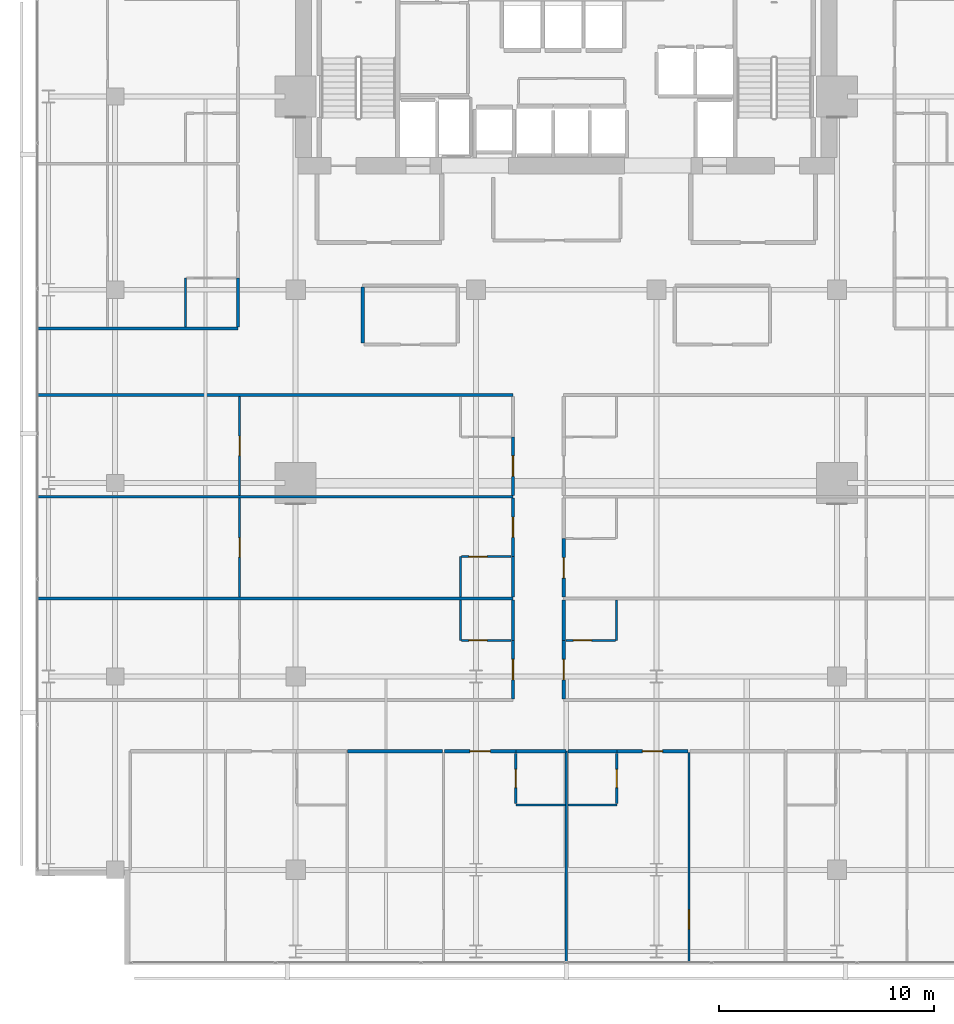
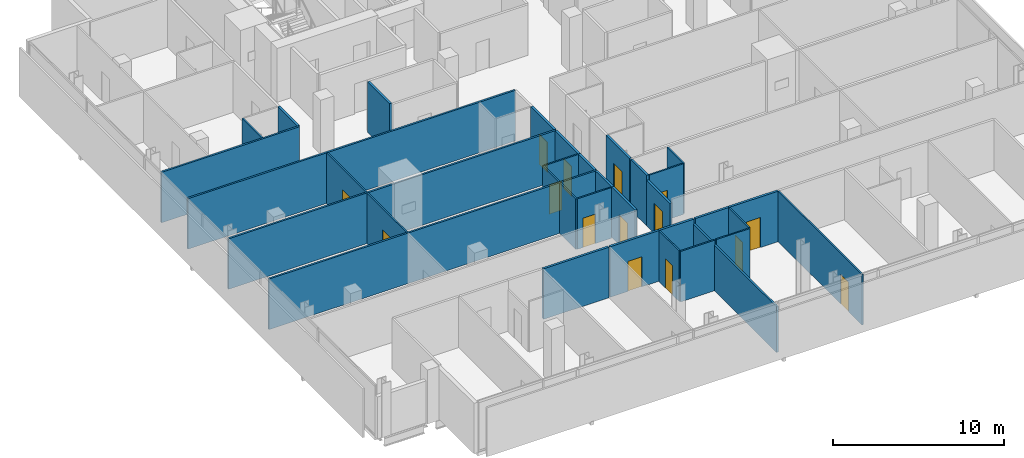
# One storey, part 27 of 33: 34 walls, 15 doors, 15 openings.
"""IFC4 building model written with IfcOpenShell, lengths in metres."""

from ifc_helpers import new_model, si_unit, direction, frame, frame_2d, origin, place, context, subcontext, project, spatial, rectangle, extrude, material, layer, layer_set, type_object, element, fill, save


model = new_model("IFC4")

# Units and contexts
model_context = context("Model", 3, precision=1e-05, world=origin(), true_north=direction((0.0, 1.0)))
body_context = subcontext(model_context, "Body", "Model", "MODEL_VIEW")
ifc_project = project(units=[si_unit("LENGTHUNIT", "METRE"), si_unit("AREAUNIT", "SQUARE_METRE"), si_unit("VOLUMEUNIT", "CUBIC_METRE"), si_unit("PLANEANGLEUNIT", "RADIAN"), si_unit("MASSUNIT", "GRAM", prefix="KILO")], contexts=[model_context])

# Site, building, storey
site_placement = place(None, origin())
site = spatial("IfcSite", under=ifc_project, at=site_placement, CompositionType="ELEMENT")
building_placement = place(site_placement, origin())
building = spatial("IfcBuilding", under=site, at=building_placement, Name="Maruvema Waterfront Hotel and Observation Tower", CompositionType="ELEMENT")
storey_placement = place(building_placement, frame((0.0, 0.0, 138.949951171875)))
storey = spatial("IfcBuildingStorey", under=building, at=storey_placement, Name="L33", CompositionType="ELEMENT", Elevation=138.949951171875)

# Walls
ifc_material_1 = material(Name="Twin-stud acoustic gypsum drywall", Category="gypsum")
ifc_layer_1 = layer(ifc_material_1, 0.14990234375, Name="Acoustic Corridor and Suite Demising Wall 150 mm")
ifc_layer_set_1 = layer_set([ifc_layer_1], Name="Twin-stud acoustic gypsum drywall")
wall_type_1 = type_object("IfcWallType", Name="Acoustic Corridor and Suite Demising Wall 150 mm", PredefinedType="PARTITIONING", material=ifc_layer_set_1)
wall_1_placement = place(storey_placement, frame((28.320068359375, 33.530029296875, 0.0), z_axis=(0.0, 0.0, 1.0), x_axis=(0.0, 1.0, 0.0)))
element("IfcWall", 1, at=wall_1_placement, inside=storey, type_object=wall_type_1, Name="L33 L33-M1 West Wall 022", PredefinedType="PARTITIONING", context=body_context, shape_type="SweptSolid", body=[
    extrude(rectangle(XDim=2.590087890625, YDim=0.14990234375, at=frame_2d((1.294921875, 0.0))), origin(), (0.0, 0.0, 1.0), 3.610107421875),
])
wall_2_placement = place(storey_placement, frame((35.449951171875, 14.52001953125, 0.0), z_axis=(0.0, 0.0, 1.0), x_axis=(1.0, 0.0, 0.0)))
element("IfcWall", 2, at=wall_2_placement, inside=storey, type_object=wall_type_1, Name="L33 Bath L33-S2 Back Wall 038", PredefinedType="PARTITIONING", context=body_context, shape_type="SweptSolid", body=[
    extrude(rectangle(XDim=2.330078125, YDim=0.14990234375, at=frame_2d((1.1650390625, 0.0))), origin(), (0.0, 0.0, 1.0), 3.610107421875),
])
wall_3_placement = place(storey_placement, frame((27.6201171875, 14.52001953125, 0.0), z_axis=(0.0, 0.0, 1.0), x_axis=(1.0, 0.0, 0.0)))
element("IfcWall", 3, at=wall_3_placement, inside=storey, type_object=wall_type_1, Name="L33 Bedroom L33-S2 Back Wall 041", PredefinedType="PARTITIONING", context=body_context, shape_type="SweptSolid", body=[
    extrude(rectangle(XDim=4.427978515625, YDim=0.14990234375, at=frame_2d((2.2138671875, 0.0))), origin(), (0.0, 0.0, 1.0), 3.610107421875),
])

# Wall, opening, door
wall_4_placement = place(storey_placement, frame((32.1279296875, 14.52001953125, 0.0), z_axis=(0.0, 0.0, 1.0), x_axis=(1.0, 0.0, 0.0)))
wall_4 = element("IfcWall", 4, at=wall_4_placement, inside=storey, type_object=wall_type_1, Name="L33 Unit L33-S2 Corridor Wall 042", PredefinedType="PARTITIONING", context=body_context, shape_type="SweptSolid", body=[
    extrude(rectangle(XDim=3.322021484375, YDim=0.14990234375, at=frame_2d((1.6611328125, 0.0))), origin(), (0.0, 0.0, 1.0), 3.610107421875),
])
opening_1_placement = place(wall_4_placement, frame((1.18603515625, 0.0, 0.0)))
opening_1 = element("IfcOpeningElement", 5, at=opening_1_placement, cuts=wall_4, Name="Opening DR-095", PredefinedType="OPENING", context=body_context, shape_type="SweptSolid", body=[
    extrude(rectangle(XDim=0.949951171875, YDim=2.14990234375, at=frame_2d((0.47509765625, 1.074951171875))), frame((0.0, 0.0849609375, 0.0), z_axis=(0.0, -1.0, 0.0), x_axis=(1.0, 0.0, 0.0)), (0.0, 0.0, 1.0), 0.169921875),
])
ifc_material_2 = material(Name="Acoustic solid-core hardwood timber leaf", Category="wood")
door_type_1 = type_object("IfcDoorType", Name="Guestroom Entrance Fire Door 950x2150 mm", OperationType="NOTDEFINED", PredefinedType="DOOR", material=ifc_material_2)
door_1_placement = place(opening_1_placement, frame((0.949951171875, 0.0, 0.0), z_axis=(0.0, 0.0, 1.0), x_axis=(-1.0, 0.0, 0.0)))
door_1 = element("IfcDoor", 6, at=door_1_placement, inside=storey, type_object=door_type_1, Name="L33 Unit L33-S2 Entrance Door", OperationType="SINGLE_SWING_RIGHT", OverallHeight=2.14990234375, OverallWidth=0.949951171875, PredefinedType="DOOR", context=body_context, shape_type="SweptSolid", body=[
    extrude(rectangle(XDim=0.949951171875, YDim=2.14990234375, at=frame_2d((0.47509765625, 1.074951171875))), frame((0.0, 0.02490234375, 0.0), z_axis=(0.0, -1.0, 0.0), x_axis=(1.0, 0.0, 0.0)), (0.0, 0.0, 1.0), 0.050048828125),
])
fill(opening_1, door_1)

# Wall
wall_5_placement = place(storey_placement, frame((37.8798828125, 14.52001953125, 0.0), z_axis=(0.0, 0.0, 1.0), x_axis=(1.0, 0.0, 0.0)))
element("IfcWall", 7, at=wall_5_placement, inside=storey, type_object=wall_type_1, Name="L33 Bath L33-S3 Back Wall 045", PredefinedType="PARTITIONING", context=body_context, shape_type="SweptSolid", body=[
    extrude(rectangle(XDim=2.27001953125, YDim=0.14990234375, at=frame_2d((1.135009765625, 0.0))), origin(), (0.0, 0.0, 1.0), 3.610107421875),
])

# Wall, opening, door
wall_6_placement = place(storey_placement, frame((40.14990234375, 14.52001953125, 0.0), z_axis=(0.0, 0.0, 1.0), x_axis=(1.0, 0.0, 0.0)))
wall_6 = element("IfcWall", 8, at=wall_6_placement, inside=storey, type_object=wall_type_1, Name="L33 Unit L33-S3 Corridor Wall 048", PredefinedType="PARTITIONING", context=body_context, shape_type="SweptSolid", body=[
    extrude(rectangle(XDim=3.322021484375, YDim=0.14990234375, at=frame_2d((1.6611328125, 0.0))), origin(), (0.0, 0.0, 1.0), 3.610107421875),
])
opening_2_placement = place(wall_6_placement, frame((1.18603515625, 0.0, 0.0)))
opening_2 = element("IfcOpeningElement", 9, at=opening_2_placement, cuts=wall_6, Name="Opening DR-095", PredefinedType="OPENING", context=body_context, shape_type="SweptSolid", body=[
    extrude(rectangle(XDim=0.949951171875, YDim=2.14990234375, at=frame_2d((0.47509765625, 1.074951171875))), frame((0.0, 0.0849609375, 0.0), z_axis=(0.0, -1.0, 0.0), x_axis=(1.0, 0.0, 0.0)), (0.0, 0.0, 1.0), 0.169921875),
])
door_2_placement = place(opening_2_placement, frame((0.949951171875, 0.0, 0.0), z_axis=(0.0, 0.0, 1.0), x_axis=(-1.0, 0.0, 0.0)))
door_2 = element("IfcDoor", 10, at=door_2_placement, inside=storey, type_object=door_type_1, Name="L33 Unit L33-S3 Entrance Door", OperationType="SINGLE_SWING_LEFT", OverallHeight=2.14990234375, OverallWidth=0.949951171875, PredefinedType="DOOR", context=body_context, shape_type="SweptSolid", body=[
    extrude(rectangle(XDim=0.949951171875, YDim=2.14990234375, at=frame_2d((0.47509765625, 1.074951171875))), frame((0.0, 0.02490234375, 0.0), z_axis=(0.0, -1.0, 0.0), x_axis=(1.0, 0.0, 0.0)), (0.0, 0.0, 1.0), 0.050048828125),
])
fill(opening_2, door_2)

wall_7_placement = place(storey_placement, frame((35.320068359375, 16.9599609375, 0.0), z_axis=(0.0, 0.0, 1.0), x_axis=(0.0, 1.0, 0.0)))
wall_7 = element("IfcWall", 11, at=wall_7_placement, inside=storey, type_object=wall_type_1, Name="L33 Room L33-W1 Corridor Wall 062", PredefinedType="PARTITIONING", context=body_context, shape_type="SweptSolid", body=[
    extrude(rectangle(XDim=2.719970703125, YDim=0.14990234375, at=frame_2d((1.35986328125, 0.0))), origin(), (0.0, 0.0, 1.0), 3.610107421875),
])
opening_3_placement = place(wall_7_placement, frame((0.885009765625, 0.0, 0.0)))
opening_3 = element("IfcOpeningElement", 12, at=opening_3_placement, cuts=wall_7, Name="Opening DR-095", PredefinedType="OPENING", context=body_context, shape_type="SweptSolid", body=[
    extrude(rectangle(XDim=0.949951171875, YDim=2.14990234375, at=frame_2d((0.47509765625, 1.074951171875))), frame((0.0, 0.0849609375, 0.0), z_axis=(0.0, -1.0, 0.0), x_axis=(1.0, 0.0, 0.0)), (0.0, 0.0, 1.0), 0.169921875),
])
door_3_placement = place(opening_3_placement, origin())
door_3 = element("IfcDoor", 13, at=door_3_placement, inside=storey, type_object=door_type_1, Name="L33 Room L33-W1 Entrance Door", OperationType="SINGLE_SWING_LEFT", OverallHeight=2.14990234375, OverallWidth=0.949951171875, PredefinedType="DOOR", context=body_context, shape_type="SweptSolid", body=[
    extrude(rectangle(XDim=0.949951171875, YDim=2.14990234375, at=frame_2d((0.47509765625, 1.074951171875))), frame((0.0, 0.02490234375, 0.0), z_axis=(0.0, -1.0, 0.0), x_axis=(1.0, 0.0, 0.0)), (0.0, 0.0, 1.0), 0.050048828125),
])
fill(opening_3, door_3)

# Wall
wall_8_placement = place(storey_placement, frame((35.320068359375, 19.679931640625, 0.0), z_axis=(0.0, 0.0, 1.0), x_axis=(0.0, 1.0, 0.0)))
element("IfcWall", 14, at=wall_8_placement, inside=storey, type_object=wall_type_1, Name="L33 Bath L33-W1 Wall 063", PredefinedType="PARTITIONING", context=body_context, shape_type="SweptSolid", body=[
    extrude(rectangle(XDim=1.89013671875, YDim=0.14990234375, at=frame_2d((0.945068359375, 0.0))), origin(), (0.0, 0.0, 1.0), 3.610107421875),
])

# Wall, opening, door
wall_9_placement = place(storey_placement, frame((37.679931640625, 16.9599609375, 0.0), z_axis=(0.0, 0.0, 1.0), x_axis=(0.0, 1.0, 0.0)))
wall_9 = element("IfcWall", 15, at=wall_9_placement, inside=storey, type_object=wall_type_1, Name="L33 Room L33-E1 Corridor Wall 067", PredefinedType="PARTITIONING", context=body_context, shape_type="SweptSolid", body=[
    extrude(rectangle(XDim=2.719970703125, YDim=0.14990234375, at=frame_2d((1.35986328125, 0.0))), origin(), (0.0, 0.0, 1.0), 3.255126953125),
])
opening_4_placement = place(wall_9_placement, frame((0.885009765625, 0.0, 0.0)))
opening_4 = element("IfcOpeningElement", 16, at=opening_4_placement, cuts=wall_9, Name="Opening DR-095", PredefinedType="OPENING", context=body_context, shape_type="SweptSolid", body=[
    extrude(rectangle(XDim=0.949951171875, YDim=2.14990234375, at=frame_2d((0.47509765625, 1.074951171875))), frame((0.0, 0.0849609375, 0.0), z_axis=(0.0, -1.0, 0.0), x_axis=(1.0, 0.0, 0.0)), (0.0, 0.0, 1.0), 0.169921875),
])
door_4_placement = place(opening_4_placement, frame((0.949951171875, 0.0, 0.0), z_axis=(0.0, 0.0, 1.0), x_axis=(-1.0, 0.0, 0.0)))
door_4 = element("IfcDoor", 17, at=door_4_placement, inside=storey, type_object=door_type_1, Name="L33 Room L33-E1 Entrance Door", OperationType="SINGLE_SWING_RIGHT", OverallHeight=2.14990234375, OverallWidth=0.949951171875, PredefinedType="DOOR", context=body_context, shape_type="SweptSolid", body=[
    extrude(rectangle(XDim=0.949951171875, YDim=2.14990234375, at=frame_2d((0.47509765625, 1.074951171875))), frame((0.0, 0.02490234375, 0.0), z_axis=(0.0, -1.0, 0.0), x_axis=(1.0, 0.0, 0.0)), (0.0, 0.0, 1.0), 0.050048828125),
])
fill(opening_4, door_4)

# Walls
for number, where, z_axis, x_axis, name in (
    (18, (37.679931640625, 19.679931640625, 0.0), (0.0, 0.0, 1.0), (0.0, 1.0, 0.0), "L33 Bath L33-E1 Wall 068"),
    (19, (35.320068359375, 21.68994140625, 0.0), (0.0, 0.0, 1.0), (0.0, 1.0, 0.0), "L33 Bath L33-W2 Wall 074"),
):
    element("IfcWall", number, at=place(storey_placement, frame(where, z_axis=z_axis, x_axis=x_axis)), inside=storey, type_object=wall_type_1, Name=name, PredefinedType="PARTITIONING", context=body_context, shape_type="SweptSolid", body=[
        extrude(rectangle(XDim=1.89013671875, YDim=0.14990234375, at=frame_2d((0.945068359375, 0.0))), origin(), (0.0, 0.0, 1.0), 3.610107421875),
    ])

# Wall, opening, door
wall_10_placement = place(storey_placement, frame((35.320068359375, 23.580078125, 0.0), z_axis=(0.0, 0.0, 1.0), x_axis=(0.0, 1.0, 0.0)))
wall_10 = element("IfcWall", 20, at=wall_10_placement, inside=storey, type_object=wall_type_1, Name="L33 Room L33-W2 Corridor Wall 075", PredefinedType="PARTITIONING", context=body_context, shape_type="SweptSolid", body=[
    extrude(rectangle(XDim=2.72998046875, YDim=0.14990234375, at=frame_2d((1.364990234375, 0.0))), origin(), (0.0, 0.0, 1.0), 3.610107421875),
])
opening_5_placement = place(wall_10_placement, frame((0.889892578125, 0.0, 0.0)))
opening_5 = element("IfcOpeningElement", 21, at=opening_5_placement, cuts=wall_10, Name="Opening DR-095", PredefinedType="OPENING", context=body_context, shape_type="SweptSolid", body=[
    extrude(rectangle(XDim=0.949951171875, YDim=2.14990234375, at=frame_2d((0.47509765625, 1.074951171875))), frame((0.0, 0.0849609375, 0.0), z_axis=(0.0, -1.0, 0.0), x_axis=(1.0, 0.0, 0.0)), (0.0, 0.0, 1.0), 0.169921875),
])
door_5_placement = place(opening_5_placement, origin())
door_5 = element("IfcDoor", 22, at=door_5_placement, inside=storey, type_object=door_type_1, Name="L33 Room L33-W2 Entrance Door", OperationType="SINGLE_SWING_LEFT", OverallHeight=2.14990234375, OverallWidth=0.949951171875, PredefinedType="DOOR", context=body_context, shape_type="SweptSolid", body=[
    extrude(rectangle(XDim=0.949951171875, YDim=2.14990234375, at=frame_2d((0.47509765625, 1.074951171875))), frame((0.0, 0.02490234375, 0.0), z_axis=(0.0, -1.0, 0.0), x_axis=(1.0, 0.0, 0.0)), (0.0, 0.0, 1.0), 0.050048828125),
])
fill(opening_5, door_5)

wall_11_placement = place(storey_placement, frame((37.679931640625, 21.68994140625, 0.0), z_axis=(0.0, 0.0, 1.0), x_axis=(0.0, 1.0, 0.0)))
wall_11 = element("IfcWall", 23, at=wall_11_placement, inside=storey, type_object=wall_type_1, Name="L33 Room L33-E2 Corridor Wall 079", PredefinedType="PARTITIONING", context=body_context, shape_type="SweptSolid", body=[
    extrude(rectangle(XDim=2.72998046875, YDim=0.14990234375, at=frame_2d((1.364990234375, 0.0))), origin(), (0.0, 0.0, 1.0), 3.610107421875),
])
opening_6_placement = place(wall_11_placement, frame((0.889892578125, 0.0, 0.0)))
opening_6 = element("IfcOpeningElement", 24, at=opening_6_placement, cuts=wall_11, Name="Opening DR-095", PredefinedType="OPENING", context=body_context, shape_type="SweptSolid", body=[
    extrude(rectangle(XDim=0.949951171875, YDim=2.14990234375, at=frame_2d((0.47509765625, 1.074951171875))), frame((0.0, 0.0849609375, 0.0), z_axis=(0.0, -1.0, 0.0), x_axis=(1.0, 0.0, 0.0)), (0.0, 0.0, 1.0), 0.169921875),
])
door_6_placement = place(opening_6_placement, frame((0.949951171875, 0.0, 0.0), z_axis=(0.0, 0.0, 1.0), x_axis=(-1.0, 0.0, 0.0)))
door_6 = element("IfcDoor", 25, at=door_6_placement, inside=storey, type_object=door_type_1, Name="L33 Room L33-E2 Entrance Door", OperationType="SINGLE_SWING_RIGHT", OverallHeight=2.14990234375, OverallWidth=0.949951171875, PredefinedType="DOOR", context=body_context, shape_type="SweptSolid", body=[
    extrude(rectangle(XDim=0.949951171875, YDim=2.14990234375, at=frame_2d((0.47509765625, 1.074951171875))), frame((0.0, 0.02490234375, 0.0), z_axis=(0.0, -1.0, 0.0), x_axis=(1.0, 0.0, 0.0)), (0.0, 0.0, 1.0), 0.050048828125),
])
fill(opening_6, door_6)

wall_12_placement = place(storey_placement, frame((35.320068359375, 26.429931640625, 0.0), z_axis=(0.0, 0.0, 1.0), x_axis=(0.0, 1.0, 0.0)))
wall_12 = element("IfcWall", 26, at=wall_12_placement, inside=storey, type_object=wall_type_1, Name="L33 Room L33-W3 Corridor Wall 086", PredefinedType="PARTITIONING", context=body_context, shape_type="SweptSolid", body=[
    extrude(rectangle(XDim=2.719970703125, YDim=0.14990234375, at=frame_2d((1.35986328125, 0.0))), origin(), (0.0, 0.0, 1.0), 3.610107421875),
])
opening_7_placement = place(wall_12_placement, frame((0.885009765625, 0.0, 0.0)))
opening_7 = element("IfcOpeningElement", 27, at=opening_7_placement, cuts=wall_12, Name="Opening DR-095", PredefinedType="OPENING", context=body_context, shape_type="SweptSolid", body=[
    extrude(rectangle(XDim=0.949951171875, YDim=2.14990234375, at=frame_2d((0.47509765625, 1.074951171875))), frame((0.0, 0.0849609375, 0.0), z_axis=(0.0, -1.0, 0.0), x_axis=(1.0, 0.0, 0.0)), (0.0, 0.0, 1.0), 0.169921875),
])
door_7_placement = place(opening_7_placement, origin())
door_7 = element("IfcDoor", 28, at=door_7_placement, inside=storey, type_object=door_type_1, Name="L33 Room L33-W3 Entrance Door", OperationType="SINGLE_SWING_LEFT", OverallHeight=2.14990234375, OverallWidth=0.949951171875, PredefinedType="DOOR", context=body_context, shape_type="SweptSolid", body=[
    extrude(rectangle(XDim=0.949951171875, YDim=2.14990234375, at=frame_2d((0.47509765625, 1.074951171875))), frame((0.0, 0.02490234375, 0.0), z_axis=(0.0, -1.0, 0.0), x_axis=(1.0, 0.0, 0.0)), (0.0, 0.0, 1.0), 0.050048828125),
])
fill(opening_7, door_7)

# Walls
wall_13_placement = place(storey_placement, frame((22.52001953125, 34.260009765625, 0.0), z_axis=(0.0, 0.0, 1.0), x_axis=(0.0, 1.0, 0.0)))
element("IfcWall", 29, at=wall_13_placement, inside=storey, type_object=wall_type_1, Name="L33 Bath L33-NW1 Wall 100", PredefinedType="PARTITIONING", context=body_context, shape_type="SweptSolid", body=[
    extrude(rectangle(XDim=2.2900390625, YDim=0.14990234375, at=frame_2d((1.14501953125, 0.0))), origin(), (0.0, 0.0, 1.0), 3.610107421875),
])
ifc_material_3 = material(Name="Moisture-resistant cement-board drywall", Category="gypsum")
ifc_layer_2 = layer(ifc_material_3, 0.10009765625, Name="En-Suite Moisture-Resistant Partition 100 mm")
ifc_layer_set_2 = layer_set([ifc_layer_2], Name="Moisture-resistant cement-board drywall")
wall_type_2 = type_object("IfcWallType", Name="En-Suite Moisture-Resistant Partition 100 mm", PredefinedType="PARTITIONING", material=ifc_layer_set_2)
wall_14_placement = place(storey_placement, frame((35.449951171875, 12.02001953125, 0.0), z_axis=(0.0, 0.0, 1.0), x_axis=(1.0, 0.0, 0.0)))
element("IfcWall", 30, at=wall_14_placement, inside=storey, type_object=wall_type_2, Name="L33 En-Suite L33-S2 South 039", PredefinedType="PARTITIONING", context=body_context, shape_type="SweptSolid", body=[
    extrude(rectangle(XDim=2.31005859375, YDim=0.10009765625, at=frame_2d((1.155029296875, 0.0))), origin(), (0.0, 0.0, 1.0), 3.610107421875),
])

# Wall, opening, door
wall_15_placement = place(storey_placement, frame((35.449951171875, 12.080078125, 0.0), z_axis=(0.0, 0.0, 1.0), x_axis=(0.0, 1.0, 0.0)))
wall_15 = element("IfcWall", 31, at=wall_15_placement, inside=storey, type_object=wall_type_2, Name="L33 En-Suite L33-S2 West 040", PredefinedType="PARTITIONING", context=body_context, shape_type="SweptSolid", body=[
    extrude(rectangle(XDim=2.33984375, YDim=0.10009765625, at=frame_2d((1.169921875, 0.0))), origin(), (0.0, 0.0, 1.0), 3.610107421875),
])
opening_8_placement = place(wall_15_placement, frame((0.7451171875, 0.0, 0.0)))
opening_8 = element("IfcOpeningElement", 32, at=opening_8_placement, cuts=wall_15, Name="Opening DR-085", PredefinedType="OPENING", context=body_context, shape_type="SweptSolid", body=[
    extrude(rectangle(XDim=0.85009765625, YDim=2.10009765625, at=frame_2d((0.425048828125, 1.050048828125))), frame((0.0, 0.06005859375, 0.0), z_axis=(0.0, -1.0, 0.0), x_axis=(1.0, 0.0, 0.0)), (0.0, 0.0, 1.0), 0.1201171875),
])
ifc_material_4 = material(Name="Moisture-resistant solid timber leaf", Category="wood")
door_type_2 = type_object("IfcDoorType", Name="En-Suite Bathroom Door 850x2100 mm", OperationType="NOTDEFINED", PredefinedType="DOOR", material=ifc_material_4)
door_8_placement = place(opening_8_placement, origin())
door_8 = element("IfcDoor", 33, at=door_8_placement, inside=storey, type_object=door_type_2, Name="L33 En-Suite L33-S2 Door", OperationType="SINGLE_SWING_LEFT", OverallHeight=2.10009765625, OverallWidth=0.85009765625, PredefinedType="DOOR", context=body_context, shape_type="SweptSolid", body=[
    extrude(rectangle(XDim=0.85009765625, YDim=2.10009765625, at=frame_2d((0.425048828125, 1.050048828125))), frame((0.0, 0.02490234375, 0.0), z_axis=(0.0, -1.0, 0.0), x_axis=(1.0, 0.0, 0.0)), (0.0, 0.0, 1.0), 0.050048828125),
])
fill(opening_8, door_8)

# Wall
wall_16_placement = place(storey_placement, frame((37.8798828125, 12.02001953125, 0.0), z_axis=(0.0, 0.0, 1.0), x_axis=(1.0, 0.0, 0.0)))
element("IfcWall", 34, at=wall_16_placement, inside=storey, type_object=wall_type_2, Name="L33 En-Suite L33-S3 South 046", PredefinedType="PARTITIONING", context=body_context, shape_type="SweptSolid", body=[
    extrude(rectangle(XDim=2.27001953125, YDim=0.10009765625, at=frame_2d((1.135009765625, 0.0))), origin(), (0.0, 0.0, 1.0), 3.610107421875),
])

# Wall, opening, door
wall_17_placement = place(storey_placement, frame((40.14990234375, 12.080078125, 0.0), z_axis=(0.0, 0.0, 1.0), x_axis=(0.0, 1.0, 0.0)))
wall_17 = element("IfcWall", 35, at=wall_17_placement, inside=storey, type_object=wall_type_2, Name="L33 En-Suite L33-S3 East 047", PredefinedType="PARTITIONING", context=body_context, shape_type="SweptSolid", body=[
    extrude(rectangle(XDim=2.33984375, YDim=0.10009765625, at=frame_2d((1.169921875, 0.0))), origin(), (0.0, 0.0, 1.0), 3.610107421875),
])
opening_9_placement = place(wall_17_placement, frame((0.7451171875, 0.0, 0.0)))
opening_9 = element("IfcOpeningElement", 36, at=opening_9_placement, cuts=wall_17, Name="Opening DR-085", PredefinedType="OPENING", context=body_context, shape_type="SweptSolid", body=[
    extrude(rectangle(XDim=0.85009765625, YDim=2.10009765625, at=frame_2d((0.425048828125, 1.050048828125))), frame((0.0, 0.06005859375, 0.0), z_axis=(0.0, -1.0, 0.0), x_axis=(1.0, 0.0, 0.0)), (0.0, 0.0, 1.0), 0.1201171875),
])
door_9_placement = place(opening_9_placement, frame((0.85009765625, 0.0, 0.0), z_axis=(0.0, 0.0, 1.0), x_axis=(-1.0, 0.0, 0.0)))
door_9 = element("IfcDoor", 37, at=door_9_placement, inside=storey, type_object=door_type_2, Name="L33 En-Suite L33-S3 Door", OperationType="SINGLE_SWING_RIGHT", OverallHeight=2.10009765625, OverallWidth=0.85009765625, PredefinedType="DOOR", context=body_context, shape_type="SweptSolid", body=[
    extrude(rectangle(XDim=0.85009765625, YDim=2.10009765625, at=frame_2d((0.425048828125, 1.050048828125))), frame((0.0, 0.02490234375, 0.0), z_axis=(0.0, -1.0, 0.0), x_axis=(1.0, 0.0, 0.0)), (0.0, 0.0, 1.0), 0.050048828125),
])
fill(opening_9, door_9)

wall_18_placement = place(storey_placement, frame((43.511962890625, 4.6298828125, 0.0), z_axis=(0.0, 0.0, 1.0), x_axis=(0.0, 1.0, 0.0)))
wall_18 = element("IfcWall", 38, at=wall_18_placement, inside=storey, type_object=wall_type_2, Name="L33 Suite L33-S3 Split 050", PredefinedType="PARTITIONING", context=body_context, shape_type="SweptSolid", body=[
    extrude(rectangle(XDim=9.830078125, YDim=0.10009765625, at=frame_2d((4.9150390625, 0.0))), origin(), (0.0, 0.0, 1.0), 3.610107421875),
])
opening_10_placement = place(wall_18_placement, frame((1.60009765625, 0.0, 0.0)))
opening_10 = element("IfcOpeningElement", 39, at=opening_10_placement, cuts=wall_18, Name="Opening DR-090", PredefinedType="OPENING", context=body_context, shape_type="SweptSolid", body=[
    extrude(rectangle(XDim=0.89990234375, YDim=2.10009765625, at=frame_2d((0.449951171875, 1.050048828125))), frame((0.0, 0.06005859375, 0.0), z_axis=(0.0, -1.0, 0.0), x_axis=(1.0, 0.0, 0.0)), (0.0, 0.0, 1.0), 0.1201171875),
])
ifc_material_5 = material(Name="Solid-core lacquered timber leaf", Category="wood")
door_type_3 = type_object("IfcDoorType", Name="Accessible Toilet and Room Door 900x2100 mm", OperationType="NOTDEFINED", PredefinedType="DOOR", material=ifc_material_5)
door_10_placement = place(opening_10_placement, origin())
door_10 = element("IfcDoor", 40, at=door_10_placement, inside=storey, type_object=door_type_3, Name="L33 Suite L33-S3 Bedroom Door", OperationType="SINGLE_SWING_RIGHT", OverallHeight=2.10009765625, OverallWidth=0.89990234375, PredefinedType="DOOR", context=body_context, shape_type="SweptSolid", body=[
    extrude(rectangle(XDim=0.89990234375, YDim=2.10009765625, at=frame_2d((0.449951171875, 1.050048828125))), frame((0.0, 0.02490234375, 0.0), z_axis=(0.0, -1.0, 0.0), x_axis=(1.0, 0.0, 0.0)), (0.0, 0.0, 1.0), 0.050048828125),
])
fill(opening_10, door_10)

# Wall
wall_19_placement = place(storey_placement, frame((32.8701171875, 19.679931640625, 0.0), z_axis=(0.0, 0.0, 1.0), x_axis=(0.0, 1.0, 0.0)))
element("IfcWall", 41, at=wall_19_placement, inside=storey, type_object=wall_type_2, Name="L33 En-Suite L33-W1 W 064", PredefinedType="PARTITIONING", context=body_context, shape_type="SweptSolid", body=[
    extrude(rectangle(XDim=1.89013671875, YDim=0.10009765625, at=frame_2d((0.945068359375, 0.0))), origin(), (0.0, 0.0, 1.0), 3.610107421875),
])

# Wall, opening, door
wall_20_placement = place(storey_placement, frame((32.919921875, 19.679931640625, 0.0), z_axis=(0.0, 0.0, 1.0), x_axis=(1.0, 0.0, 0.0)))
wall_20 = element("IfcWall", 42, at=wall_20_placement, inside=storey, type_object=wall_type_2, Name="L33 En-Suite L33-W1 S 065", PredefinedType="PARTITIONING", context=body_context, shape_type="SweptSolid", body=[
    extrude(rectangle(XDim=2.300048828125, YDim=0.10009765625, at=frame_2d((1.14990234375, 0.0))), origin(), (0.0, 0.0, 1.0), 3.610107421875),
])
opening_11_placement = place(wall_20_placement, frame((0.35009765625, 0.0, 0.0)))
opening_11 = element("IfcOpeningElement", 43, at=opening_11_placement, cuts=wall_20, Name="Opening DR-085", PredefinedType="OPENING", context=body_context, shape_type="SweptSolid", body=[
    extrude(rectangle(XDim=0.85009765625, YDim=2.10009765625, at=frame_2d((0.425048828125, 1.050048828125))), frame((0.0, 0.06005859375, 0.0), z_axis=(0.0, -1.0, 0.0), x_axis=(1.0, 0.0, 0.0)), (0.0, 0.0, 1.0), 0.1201171875),
])
door_11_placement = place(opening_11_placement, frame((0.85009765625, 0.0, 0.0), z_axis=(0.0, 0.0, 1.0), x_axis=(-1.0, 0.0, 0.0)))
door_11 = element("IfcDoor", 44, at=door_11_placement, inside=storey, type_object=door_type_2, Name="L33 En-Suite L33-W1 Door", OperationType="SINGLE_SWING_RIGHT", OverallHeight=2.10009765625, OverallWidth=0.85009765625, PredefinedType="DOOR", context=body_context, shape_type="SweptSolid", body=[
    extrude(rectangle(XDim=0.85009765625, YDim=2.10009765625, at=frame_2d((0.425048828125, 1.050048828125))), frame((0.0, 0.02490234375, 0.0), z_axis=(0.0, -1.0, 0.0), x_axis=(1.0, 0.0, 0.0)), (0.0, 0.0, 1.0), 0.050048828125),
])
fill(opening_11, door_11)

# Wall
wall_21_placement = place(storey_placement, frame((40.1298828125, 19.679931640625, 0.0), z_axis=(0.0, 0.0, 1.0), x_axis=(0.0, 1.0, 0.0)))
element("IfcWall", 45, at=wall_21_placement, inside=storey, type_object=wall_type_2, Name="L33 En-Suite L33-E1 E 069", PredefinedType="PARTITIONING", context=body_context, shape_type="SweptSolid", body=[
    extrude(rectangle(XDim=1.89013671875, YDim=0.10009765625, at=frame_2d((0.945068359375, 0.0))), origin(), (0.0, 0.0, 1.0), 3.610107421875),
])

# Wall, opening, door
wall_22_placement = place(storey_placement, frame((37.780029296875, 19.679931640625, 0.0), z_axis=(0.0, 0.0, 1.0), x_axis=(1.0, 0.0, 0.0)))
wall_22 = element("IfcWall", 46, at=wall_22_placement, inside=storey, type_object=wall_type_2, Name="L33 En-Suite L33-E1 S 070", PredefinedType="PARTITIONING", context=body_context, shape_type="SweptSolid", body=[
    extrude(rectangle(XDim=2.300048828125, YDim=0.10009765625, at=frame_2d((1.14990234375, 0.0))), origin(), (0.0, 0.0, 1.0), 3.610107421875),
])
opening_12_placement = place(wall_22_placement, frame((0.35009765625, 0.0, 0.0)))
opening_12 = element("IfcOpeningElement", 47, at=opening_12_placement, cuts=wall_22, Name="Opening DR-085", PredefinedType="OPENING", context=body_context, shape_type="SweptSolid", body=[
    extrude(rectangle(XDim=0.85009765625, YDim=2.10009765625, at=frame_2d((0.425048828125, 1.050048828125))), frame((0.0, 0.06005859375, 0.0), z_axis=(0.0, -1.0, 0.0), x_axis=(1.0, 0.0, 0.0)), (0.0, 0.0, 1.0), 0.1201171875),
])
door_12_placement = place(opening_12_placement, frame((0.85009765625, 0.0, 0.0), z_axis=(0.0, 0.0, 1.0), x_axis=(-1.0, 0.0, 0.0)))
door_12 = element("IfcDoor", 48, at=door_12_placement, inside=storey, type_object=door_type_2, Name="L33 En-Suite L33-E1 Door", OperationType="SINGLE_SWING_LEFT", OverallHeight=2.10009765625, OverallWidth=0.85009765625, PredefinedType="DOOR", context=body_context, shape_type="SweptSolid", body=[
    extrude(rectangle(XDim=0.85009765625, YDim=2.10009765625, at=frame_2d((0.425048828125, 1.050048828125))), frame((0.0, 0.02490234375, 0.0), z_axis=(0.0, -1.0, 0.0), x_axis=(1.0, 0.0, 0.0)), (0.0, 0.0, 1.0), 0.050048828125),
])
fill(opening_12, door_12)

# Wall
wall_23_placement = place(storey_placement, frame((32.8701171875, 21.68994140625, 0.0), z_axis=(0.0, 0.0, 1.0), x_axis=(0.0, 1.0, 0.0)))
element("IfcWall", 49, at=wall_23_placement, inside=storey, type_object=wall_type_2, Name="L33 En-Suite L33-W2 W 076", PredefinedType="PARTITIONING", context=body_context, shape_type="SweptSolid", body=[
    extrude(rectangle(XDim=1.89013671875, YDim=0.10009765625, at=frame_2d((0.945068359375, 0.0))), origin(), (0.0, 0.0, 1.0), 3.610107421875),
])

# Wall, opening, door
wall_24_placement = place(storey_placement, frame((32.919921875, 23.580078125, 0.0), z_axis=(0.0, 0.0, 1.0), x_axis=(1.0, 0.0, 0.0)))
wall_24 = element("IfcWall", 50, at=wall_24_placement, inside=storey, type_object=wall_type_2, Name="L33 En-Suite L33-W2 N 077", PredefinedType="PARTITIONING", context=body_context, shape_type="SweptSolid", body=[
    extrude(rectangle(XDim=2.300048828125, YDim=0.10009765625, at=frame_2d((1.14990234375, 0.0))), origin(), (0.0, 0.0, 1.0), 3.610107421875),
])
opening_13_placement = place(wall_24_placement, frame((0.35009765625, 0.0, 0.0)))
opening_13 = element("IfcOpeningElement", 51, at=opening_13_placement, cuts=wall_24, Name="Opening DR-085", PredefinedType="OPENING", context=body_context, shape_type="SweptSolid", body=[
    extrude(rectangle(XDim=0.85009765625, YDim=2.10009765625, at=frame_2d((0.425048828125, 1.050048828125))), frame((0.0, 0.06005859375, 0.0), z_axis=(0.0, -1.0, 0.0), x_axis=(1.0, 0.0, 0.0)), (0.0, 0.0, 1.0), 0.1201171875),
])
door_13_placement = place(opening_13_placement, origin())
door_13 = element("IfcDoor", 52, at=door_13_placement, inside=storey, type_object=door_type_2, Name="L33 En-Suite L33-W2 Door", OperationType="SINGLE_SWING_RIGHT", OverallHeight=2.10009765625, OverallWidth=0.85009765625, PredefinedType="DOOR", context=body_context, shape_type="SweptSolid", body=[
    extrude(rectangle(XDim=0.85009765625, YDim=2.10009765625, at=frame_2d((0.425048828125, 1.050048828125))), frame((0.0, 0.02490234375, 0.0), z_axis=(0.0, -1.0, 0.0), x_axis=(1.0, 0.0, 0.0)), (0.0, 0.0, 1.0), 0.050048828125),
])
fill(opening_13, door_13)

wall_25_placement = place(storey_placement, frame((22.589599609375, 21.68994140625, 0.0), z_axis=(0.0, 0.0, 1.0), x_axis=(0.0, 1.0, 0.0)))
wall_25 = element("IfcWall", 53, at=wall_25_placement, inside=storey, type_object=wall_type_2, Name="L33 Suite L33-W2 Split 078", PredefinedType="PARTITIONING", context=body_context, shape_type="SweptSolid", body=[
    extrude(rectangle(XDim=4.6201171875, YDim=0.10009765625, at=frame_2d((2.31005859375, 0.0))), origin(), (0.0, 0.0, 1.0), 3.610107421875),
])
opening_14_placement = place(wall_25_placement, frame((1.860107421875, 0.0, 0.0)))
opening_14 = element("IfcOpeningElement", 54, at=opening_14_placement, cuts=wall_25, Name="Opening DR-090", PredefinedType="OPENING", context=body_context, shape_type="SweptSolid", body=[
    extrude(rectangle(XDim=0.89990234375, YDim=2.10009765625, at=frame_2d((0.449951171875, 1.050048828125))), frame((0.0, 0.06005859375, 0.0), z_axis=(0.0, -1.0, 0.0), x_axis=(1.0, 0.0, 0.0)), (0.0, 0.0, 1.0), 0.1201171875),
])
door_14_placement = place(opening_14_placement, origin())
door_14 = element("IfcDoor", 55, at=door_14_placement, inside=storey, type_object=door_type_3, Name="L33 Suite L33-W2 Bedroom Door", OperationType="SINGLE_SWING_RIGHT", OverallHeight=2.10009765625, OverallWidth=0.89990234375, PredefinedType="DOOR", context=body_context, shape_type="SweptSolid", body=[
    extrude(rectangle(XDim=0.89990234375, YDim=2.10009765625, at=frame_2d((0.449951171875, 1.050048828125))), frame((0.0, 0.02490234375, 0.0), z_axis=(0.0, -1.0, 0.0), x_axis=(1.0, 0.0, 0.0)), (0.0, 0.0, 1.0), 0.050048828125),
])
fill(opening_14, door_14)

wall_26_placement = place(storey_placement, frame((22.589599609375, 26.429931640625, 0.0), z_axis=(0.0, 0.0, 1.0), x_axis=(0.0, 1.0, 0.0)))
wall_26 = element("IfcWall", 56, at=wall_26_placement, inside=storey, type_object=wall_type_2, Name="L33 Suite L33-W3 Split 090", PredefinedType="PARTITIONING", context=body_context, shape_type="SweptSolid", body=[
    extrude(rectangle(XDim=4.610107421875, YDim=0.10009765625, at=frame_2d((2.30517578125, 0.0))), origin(), (0.0, 0.0, 1.0), 3.610107421875),
])
opening_15_placement = place(wall_26_placement, frame((1.85498046875, 0.0, 0.0)))
opening_15 = element("IfcOpeningElement", 57, at=opening_15_placement, cuts=wall_26, Name="Opening DR-090", PredefinedType="OPENING", context=body_context, shape_type="SweptSolid", body=[
    extrude(rectangle(XDim=0.89990234375, YDim=2.10009765625, at=frame_2d((0.449951171875, 1.050048828125))), frame((0.0, 0.06005859375, 0.0), z_axis=(0.0, -1.0, 0.0), x_axis=(1.0, 0.0, 0.0)), (0.0, 0.0, 1.0), 0.1201171875),
])
door_15_placement = place(opening_15_placement, origin())
door_15 = element("IfcDoor", 58, at=door_15_placement, inside=storey, type_object=door_type_3, Name="L33 Suite L33-W3 Bedroom Door", OperationType="SINGLE_SWING_RIGHT", OverallHeight=2.10009765625, OverallWidth=0.89990234375, PredefinedType="DOOR", context=body_context, shape_type="SweptSolid", body=[
    extrude(rectangle(XDim=0.89990234375, YDim=2.10009765625, at=frame_2d((0.449951171875, 1.050048828125))), frame((0.0, 0.02490234375, 0.0), z_axis=(0.0, -1.0, 0.0), x_axis=(1.0, 0.0, 0.0)), (0.0, 0.0, 1.0), 0.050048828125),
])
fill(opening_15, door_15)

# Walls
wall_27_placement = place(storey_placement, frame((20.070068359375, 34.260009765625, 0.0), z_axis=(0.0, 0.0, 1.0), x_axis=(0.0, 1.0, 0.0)))
element("IfcWall", 59, at=wall_27_placement, inside=storey, type_object=wall_type_2, Name="L33 En-Suite L33-NW1 W 102", PredefinedType="PARTITIONING", context=body_context, shape_type="SweptSolid", body=[
    extrude(rectangle(XDim=2.2900390625, YDim=0.10009765625, at=frame_2d((1.14501953125, 0.0))), origin(), (0.0, 0.0, 1.0), 3.610107421875),
])
ifc_material_6 = material(Name="Acoustic gypsum plasterboard drywall", Category="gypsum")
ifc_layer_3 = layer(ifc_material_6, 0.125, Name="Guestroom Acoustic Demising Wall 125 mm")
ifc_layer_set_3 = layer_set([ifc_layer_3], Name="Acoustic gypsum plasterboard drywall")
wall_type_3 = type_object("IfcWallType", Name="Guestroom Acoustic Demising Wall 125 mm", PredefinedType="PARTITIONING", material=ifc_layer_set_3)
wall_28_placement = place(storey_placement, frame((37.800048828125, 4.699951171875, 0.0), z_axis=(0.0, 0.0, 1.0), x_axis=(0.0, 1.0, 0.0)))
element("IfcWall", 60, at=wall_28_placement, inside=storey, type_object=wall_type_3, Name="L33 Z2 S Demising 3 044", PredefinedType="PARTITIONING", context=body_context, shape_type="SweptSolid", body=[
    extrude(rectangle(XDim=9.820068359375, YDim=0.125, at=frame_2d((4.91015625, 0.0))), origin(), (0.0, 0.0, 1.0), 3.255126953125),
])
for number, where, z_axis, x_axis, name in (
    (61, (13.199951171875, 31.10009765625, 0.0), (0.0, 0.0, 1.0), (1.0, 0.0, 0.0), "L33 Z2 W Top End 060"),
    (62, (13.199951171875, 21.6298828125, 0.0), (0.0, 0.0, 1.0), (1.0, 0.0, 0.0), "L33 Z2 W Demising 2 072"),
    (63, (13.199951171875, 26.3701171875, 0.0), (0.0, 0.0, 1.0), (1.0, 0.0, 0.0), "L33 Z2 W Demising 3 084"),
):
    element("IfcWall", number, at=place(storey_placement, frame(where, z_axis=z_axis, x_axis=x_axis)), inside=storey, type_object=wall_type_3, Name=name, PredefinedType="PARTITIONING", context=body_context, shape_type="SweptSolid", body=[
        extrude(rectangle(XDim=22.1201171875, YDim=0.125, at=frame_2d((11.06005859375, 0.0))), origin(), (0.0, 0.0, 1.0), 3.610107421875),
    ])
wall_29_placement = place(storey_placement, frame((13.199951171875, 34.199951171875, 0.0), z_axis=(0.0, 0.0, 1.0), x_axis=(1.0, 0.0, 0.0)))
element("IfcWall", 64, at=wall_29_placement, inside=storey, type_object=wall_type_3, Name="L33 Z2 NW Bot End 096", PredefinedType="PARTITIONING", context=body_context, shape_type="SweptSolid", body=[
    extrude(rectangle(XDim=9.320068359375, YDim=0.125, at=frame_2d((4.66015625, 0.0))), origin(), (0.0, 0.0, 1.0), 3.610107421875),
])

save(model, "model.ifc")
